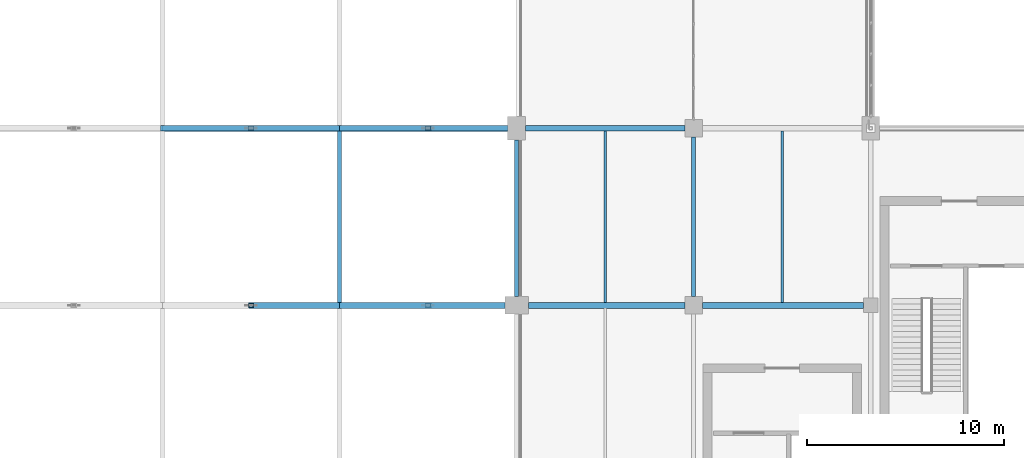
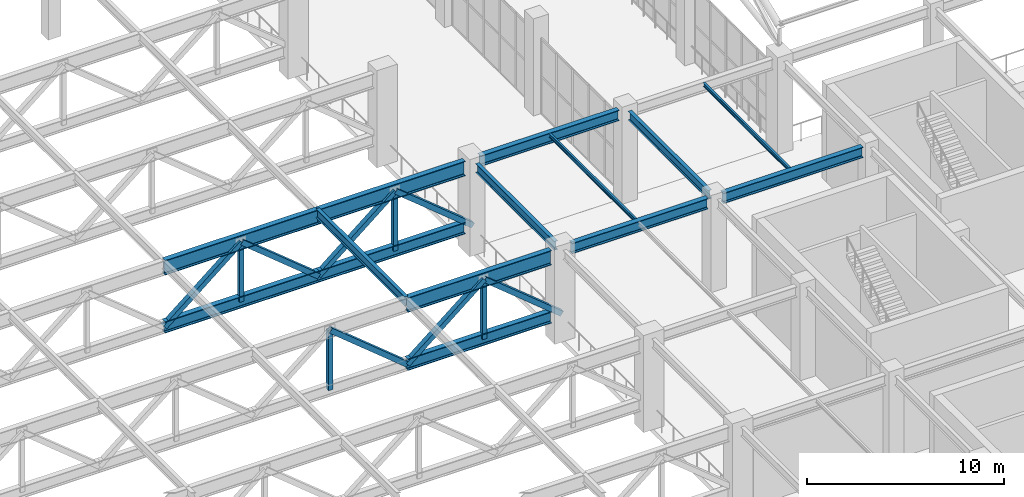
# One storey, part 26 of 223: 14 beams, 11 members.
"""IFC4 building model written with IfcOpenShell, lengths in metres."""

from ifc_helpers import new_model, si_unit, direction, frame, origin, origin_2d, place, context, subcontext, project, spatial, hollow_rectangle, i_section, extrude, material, material_profile, profile_set, type_object, element, save


model = new_model("IFC4")

# Units and contexts
model_context = context("Model", 3, precision=1e-05, world=origin(), true_north=direction((0.0, 1.0)))
body_context = subcontext(model_context, "Body", "Model", "MODEL_VIEW")
ifc_project = project(units=[si_unit("LENGTHUNIT", "METRE"), si_unit("AREAUNIT", "SQUARE_METRE"), si_unit("VOLUMEUNIT", "CUBIC_METRE"), si_unit("PLANEANGLEUNIT", "RADIAN"), si_unit("MASSUNIT", "GRAM", prefix="KILO")], contexts=[model_context])

# Site, building, storey
site_placement = place(None, origin())
site = spatial("IfcSite", under=ifc_project, at=site_placement, CompositionType="ELEMENT")
building_placement = place(site_placement, origin())
building = spatial("IfcBuilding", under=site, at=building_placement, Name="Dornveld Trade and Exhibition Forum", CompositionType="ELEMENT")
storey_placement = place(building_placement, frame((0.0, 0.0, 6.0)))
storey = spatial("IfcBuildingStorey", under=building, at=storey_placement, Name="L01", CompositionType="ELEMENT", Elevation=6.0)

# Beams
ifc_material_1 = material(Name="Steel S355J2", Category="steel")
ifc_material_profile_1 = material_profile(ifc_material_1, i_section(OverallWidth=0.300048828125, OverallDepth=0.64990234375, WebThickness=0.01611328125, FlangeThickness=0.031005859375, FilletRadius=0.027099609375, at=origin_2d()), Name="HEB 650")
ifc_profile_set_1 = profile_set([ifc_material_profile_1], Name="Steel S355J2")
beam_type_1 = type_object("IfcBeamType", Name="BM-GIR-HEB650", PredefinedType="USERDEFINED", material=ifc_profile_set_1)
beam_1_placement = place(storey_placement, frame((81.595947265625, 99.0, 5.31494140625), z_axis=(1.0, 0.0, 0.0), x_axis=(0.0, 1.0, 0.0)))
element("IfcBeam", 1, at=beam_1_placement, inside=storey, type_object=beam_type_1, Name="L01 X-girder 1184", ObjectType="GIRDER", PredefinedType="USERDEFINED", context=body_context, shape_type="SweptSolid", body=[
    extrude(i_section(OverallWidth=0.300048828125, OverallDepth=0.64990234375, WebThickness=0.01611328125, FlangeThickness=0.031005859375, FilletRadius=0.027099609375, at=origin_2d()), origin(), (0.0, 0.0, 1.0), 7.9580078125),
])
beam_2_placement = place(storey_placement, frame((90.446044921875, 99.0, 5.31494140625), z_axis=(1.0, 0.0, 0.0), x_axis=(0.0, 1.0, 0.0)))
element("IfcBeam", 2, at=beam_2_placement, inside=storey, type_object=beam_type_1, Name="L01 X-girder 1185", ObjectType="GIRDER", PredefinedType="USERDEFINED", context=body_context, shape_type="SweptSolid", body=[
    extrude(i_section(OverallWidth=0.300048828125, OverallDepth=0.64990234375, WebThickness=0.01611328125, FlangeThickness=0.031005859375, FilletRadius=0.027099609375, at=origin_2d()), origin(), (0.0, 0.0, 1.0), 8.182861328125),
])
beam_3_placement = place(storey_placement, frame((81.446044921875, 108.0, 5.31494140625), z_axis=(1.0, 0.0, 0.0), x_axis=(0.0, 1.0, 0.0)))
element("IfcBeam", 3, at=beam_3_placement, inside=storey, type_object=beam_type_1, Name="L01 X-girder 1190", ObjectType="GIRDER", PredefinedType="USERDEFINED", context=body_context, shape_type="SweptSolid", body=[
    extrude(i_section(OverallWidth=0.300048828125, OverallDepth=0.64990234375, WebThickness=0.01611328125, FlangeThickness=0.031005859375, FilletRadius=0.027099609375, at=origin_2d()), origin(), (0.0, 0.0, 1.0), 8.10791015625),
])
ifc_material_2 = material(Name="Steel S355J2", Category="steel")
ifc_material_profile_2 = material_profile(ifc_material_2, i_section(OverallWidth=0.1201171875, OverallDepth=0.239990234375, WebThickness=0.006103515625, FlangeThickness=0.009765625, FilletRadius=0.014892578125, at=origin_2d()), Name="IPE 240")
ifc_profile_set_2 = profile_set([ifc_material_profile_2], Name="Steel S355J2")
beam_type_2 = type_object("IfcBeamType", Name="BM-JOIST-240", PredefinedType="JOIST", material=ifc_profile_set_2)
for number, where, z_axis, x_axis, name in (
    (4, (85.5, 99.14697265625, 5.52001953125), (0.0, 1.0, 0.0), (-1.0, 0.0, 0.0), "L01 secondary joist 1257"),
    (5, (94.5, 99.14697265625, 5.52001953125), (0.0, 1.0, 0.0), (-1.0, 0.0, 0.0), "L01 secondary joist 1261"),
):
    element("IfcBeam", number, at=place(storey_placement, frame(where, z_axis=z_axis, x_axis=x_axis)), inside=storey, type_object=beam_type_2, Name=name, PredefinedType="JOIST", context=body_context, shape_type="SweptSolid", body=[
        extrude(i_section(OverallWidth=0.1201171875, OverallDepth=0.239990234375, WebThickness=0.006103515625, FlangeThickness=0.009765625, FilletRadius=0.014892578125, at=origin_2d()), origin(), (0.0, 0.0, 1.0), 8.7060546875),
    ])
ifc_material_3 = material(Name="Steel S355J2", Category="steel")
ifc_material_profile_3 = material_profile(ifc_material_3, i_section(OverallWidth=0.2099609375, OverallDepth=0.550048828125, WebThickness=0.010986328125, FlangeThickness=0.01708984375, FilletRadius=0.02392578125, at=origin_2d()), Name="IPE 550")
ifc_profile_set_3 = profile_set([ifc_material_profile_3], Name="Steel S355J2")
beam_type_3 = type_object("IfcBeamType", Name="BM-SEC-550", PredefinedType="BEAM", material=ifc_profile_set_3)
beam_4_placement = place(storey_placement, frame((81.0, 99.446044921875, 5.364990234375), z_axis=(0.0, 1.0, 0.0), x_axis=(-1.0, 0.0, 0.0)))
element("IfcBeam", 6, at=beam_4_placement, inside=storey, type_object=beam_type_3, Name="L01 Y-girder 1205", PredefinedType="BEAM", context=body_context, shape_type="SweptSolid", body=[
    extrude(i_section(OverallWidth=0.2099609375, OverallDepth=0.550048828125, WebThickness=0.010986328125, FlangeThickness=0.01708984375, FilletRadius=0.02392578125, at=origin_2d()), origin(), (0.0, 0.0, 1.0), 7.9580078125),
])
beam_5_placement = place(storey_placement, frame((90.0, 99.446044921875, 5.364990234375), z_axis=(0.0, 1.0, 0.0), x_axis=(-1.0, 0.0, 0.0)))
element("IfcBeam", 7, at=beam_5_placement, inside=storey, type_object=beam_type_3, Name="L01 Y-girder 1213", PredefinedType="BEAM", context=body_context, shape_type="SweptSolid", body=[
    extrude(i_section(OverallWidth=0.2099609375, OverallDepth=0.550048828125, WebThickness=0.010986328125, FlangeThickness=0.01708984375, FilletRadius=0.02392578125, at=origin_2d()), origin(), (0.0, 0.0, 1.0), 8.10791015625),
])
beam_6_placement = place(storey_placement, frame((72.0, 99.0, 5.364990234375), z_axis=(0.0, 1.0, 0.0), x_axis=(-1.0, 0.0, 0.0)))
element("IfcBeam", 8, at=beam_6_placement, inside=storey, type_object=beam_type_3, Name="Hall 3 secondary deck beam 1425", PredefinedType="BEAM", context=body_context, shape_type="SweptSolid", body=[
    extrude(i_section(OverallWidth=0.2099609375, OverallDepth=0.550048828125, WebThickness=0.010986328125, FlangeThickness=0.01708984375, FilletRadius=0.02392578125, at=origin_2d()), origin(), (0.0, 0.0, 1.0), 9.0),
])
ifc_material_4 = material(Name="Steel S355J2", Category="steel")
ifc_material_profile_4 = material_profile(ifc_material_4, i_section(OverallWidth=0.303955078125, OverallDepth=0.716064453125, WebThickness=0.02099609375, FlangeThickness=0.0400390625, FilletRadius=0.027099609375, at=origin_2d()), Name="HEM 700")
ifc_profile_set_4 = profile_set([ifc_material_profile_4], Name="Steel S355J2")
beam_type_4 = type_object("IfcBeamType", Name="BM-TG-BOT700", PredefinedType="USERDEFINED", material=ifc_profile_set_4)
beam_7_placement = place(storey_placement, frame((72.0, 99.0, 1.5), z_axis=(1.0, 0.0, 0.0), x_axis=(0.0, 1.0, 0.0)))
element("IfcBeam", 9, at=beam_7_placement, inside=storey, type_object=beam_type_4, Name="Hall 3 transfer truss 7 bottom chord 6", ObjectType="GIRDER", PredefinedType="USERDEFINED", context=body_context, shape_type="SweptSolid", body=[
    extrude(i_section(OverallWidth=0.303955078125, OverallDepth=0.716064453125, WebThickness=0.02099609375, FlangeThickness=0.0400390625, FilletRadius=0.027099609375, at=origin_2d()), origin(), (0.0, 0.0, 1.0), 8.404052734375),
])
beam_8_placement = place(storey_placement, frame((63.0, 108.0, 1.5), z_axis=(1.0, 0.0, 0.0), x_axis=(0.0, 1.0, 0.0)))
element("IfcBeam", 10, at=beam_8_placement, inside=storey, type_object=beam_type_4, Name="Hall 3 transfer truss 8 bottom chord 5", ObjectType="GIRDER", PredefinedType="USERDEFINED", context=body_context, shape_type="SweptSolid", body=[
    extrude(i_section(OverallWidth=0.303955078125, OverallDepth=0.716064453125, WebThickness=0.02099609375, FlangeThickness=0.0400390625, FilletRadius=0.027099609375, at=origin_2d()), origin(), (0.0, 0.0, 1.0), 9.0),
])
beam_9_placement = place(storey_placement, frame((72.0, 108.0, 1.5), z_axis=(1.0, 0.0, 0.0), x_axis=(0.0, 1.0, 0.0)))
element("IfcBeam", 11, at=beam_9_placement, inside=storey, type_object=beam_type_4, Name="Hall 3 transfer truss 8 bottom chord 6", ObjectType="GIRDER", PredefinedType="USERDEFINED", context=body_context, shape_type="SweptSolid", body=[
    extrude(i_section(OverallWidth=0.303955078125, OverallDepth=0.716064453125, WebThickness=0.02099609375, FlangeThickness=0.0400390625, FilletRadius=0.027099609375, at=origin_2d()), origin(), (0.0, 0.0, 1.0), 8.553955078125),
])
ifc_material_5 = material(Name="Steel S355J2", Category="steel")
ifc_material_profile_5 = material_profile(ifc_material_5, i_section(OverallWidth=0.302001953125, OverallDepth=0.909912109375, WebThickness=0.02099609375, FlangeThickness=0.0400390625, FilletRadius=0.030029296875, at=origin_2d()), Name="HEM 900")
ifc_profile_set_5 = profile_set([ifc_material_profile_5], Name="Steel S355J2")
beam_type_5 = type_object("IfcBeamType", Name="BM-TG-TOP900", PredefinedType="USERDEFINED", material=ifc_profile_set_5)
beam_10_placement = place(storey_placement, frame((72.0, 99.0, 5.18505859375), z_axis=(1.0, 0.0, 0.0), x_axis=(0.0, 1.0, 0.0)))
element("IfcBeam", 12, at=beam_10_placement, inside=storey, type_object=beam_type_5, Name="Hall 3 transfer truss 7 top chord 6", ObjectType="GIRDER", PredefinedType="USERDEFINED", context=body_context, shape_type="SweptSolid", body=[
    extrude(i_section(OverallWidth=0.302001953125, OverallDepth=0.909912109375, WebThickness=0.02099609375, FlangeThickness=0.0400390625, FilletRadius=0.030029296875, at=origin_2d()), origin(), (0.0, 0.0, 1.0), 8.404052734375),
])
beam_11_placement = place(storey_placement, frame((63.0, 108.0, 5.18505859375), z_axis=(1.0, 0.0, 0.0), x_axis=(0.0, 1.0, 0.0)))
element("IfcBeam", 13, at=beam_11_placement, inside=storey, type_object=beam_type_5, Name="Hall 3 transfer truss 8 top chord 5", ObjectType="GIRDER", PredefinedType="USERDEFINED", context=body_context, shape_type="SweptSolid", body=[
    extrude(i_section(OverallWidth=0.302001953125, OverallDepth=0.909912109375, WebThickness=0.02099609375, FlangeThickness=0.0400390625, FilletRadius=0.030029296875, at=origin_2d()), origin(), (0.0, 0.0, 1.0), 9.0),
])
beam_12_placement = place(storey_placement, frame((72.0, 108.0, 5.18505859375), z_axis=(1.0, 0.0, 0.0), x_axis=(0.0, 1.0, 0.0)))
element("IfcBeam", 14, at=beam_12_placement, inside=storey, type_object=beam_type_5, Name="Hall 3 transfer truss 8 top chord 6", ObjectType="GIRDER", PredefinedType="USERDEFINED", context=body_context, shape_type="SweptSolid", body=[
    extrude(i_section(OverallWidth=0.302001953125, OverallDepth=0.909912109375, WebThickness=0.02099609375, FlangeThickness=0.0400390625, FilletRadius=0.030029296875, at=origin_2d()), origin(), (0.0, 0.0, 1.0), 8.553955078125),
])

# Members
ifc_material_6 = material(Name="Steel S355J2", Category="steel")
ifc_material_profile_6 = material_profile(ifc_material_6, hollow_rectangle(XDim=0.25, YDim=0.25, WallThickness=0.012451171875, at=origin_2d()), Name="SHS 250x250x12.5")
ifc_profile_set_6 = profile_set([ifc_material_profile_6], Name="Steel S355J2")
member_type_1 = type_object("IfcMemberType", Name="MEM-XFER-STR", PredefinedType="STRUT", material=ifc_profile_set_6)
for number, where, z_axis, x_axis, name in (
    (15, (67.5, 99.0, 1.5), (0.0, 0.0, 1.0), (1.0, 0.0, 0.0), "Transfer truss 7 strut 123"),
    (16, (76.5, 99.0, 1.5), (0.0, 0.0, 1.0), (1.0, 0.0, 0.0), "Transfer truss 7 strut 126"),
    (17, (67.5, 108.0, 1.5), (0.0, 0.0, 1.0), (1.0, 0.0, 0.0), "Transfer truss 8 strut 141"),
    (18, (76.5, 108.0, 1.5), (0.0, 0.0, 1.0), (1.0, 0.0, 0.0), "Transfer truss 8 strut 144"),
):
    element("IfcMember", number, at=place(storey_placement, frame(where, z_axis=z_axis, x_axis=x_axis)), inside=storey, type_object=member_type_1, Name=name, PredefinedType="STRUT", context=body_context, shape_type="SweptSolid", body=[
        extrude(hollow_rectangle(XDim=0.25, YDim=0.25, WallThickness=0.012451171875, at=origin_2d()), origin(), (0.0, 0.0, 1.0), 3.68505859375),
    ])
ifc_material_7 = material(Name="Steel S355J2", Category="steel")
ifc_material_profile_7 = material_profile(ifc_material_7, hollow_rectangle(XDim=0.300048828125, YDim=0.300048828125, WallThickness=0.01611328125, at=origin_2d()), Name="SHS 300x300x16")
ifc_profile_set_7 = profile_set([ifc_material_profile_7], Name="Steel S355J2")
member_type_2 = type_object("IfcMemberType", Name="MEM-XFER-WEB", PredefinedType="BRACE", material=ifc_profile_set_7)
for number, where, z_axis, x_axis, name in (
    (19, (72.0, 99.0, 1.5), (-0.773684181611, 0.0, 0.633571453843), (0.0, -1.0, 0.0), "Transfer truss 7 web 122"),
    (20, (72.0, 99.0, 1.5), (0.773684181611, 0.0, 0.633571453843), (0.0, 1.0, 0.0), "Transfer truss 7 web 124"),
    (21, (81.0, 99.0, 1.5), (-0.773684181611, 0.0, 0.633571453843), (0.0, -1.0, 0.0), "Transfer truss 7 web 125"),
    (22, (63.0, 108.0, 1.5), (0.773684181611, 0.0, 0.633571453843), (0.0, 1.0, 0.0), "Transfer truss 8 web 139"),
    (23, (72.0, 108.0, 1.5), (-0.773684181611, 0.0, 0.633571453843), (0.0, -1.0, 0.0), "Transfer truss 8 web 140"),
    (24, (72.0, 108.0, 1.5), (0.773684181611, 0.0, 0.633571453843), (0.0, 1.0, 0.0), "Transfer truss 8 web 142"),
    (25, (81.0, 108.0, 1.5), (-0.773684181611, 0.0, 0.633571453843), (0.0, -1.0, 0.0), "Transfer truss 8 web 143"),
):
    element("IfcMember", number, at=place(storey_placement, frame(where, z_axis=z_axis, x_axis=x_axis)), inside=storey, type_object=member_type_2, Name=name, PredefinedType="BRACE", context=body_context, shape_type="SweptSolid", body=[
        extrude(hollow_rectangle(XDim=0.300048828125, YDim=0.300048828125, WallThickness=0.01611328125, at=origin_2d()), origin(), (0.0, 0.0, 1.0), 5.81640625),
    ])

save(model, "model.ifc")
